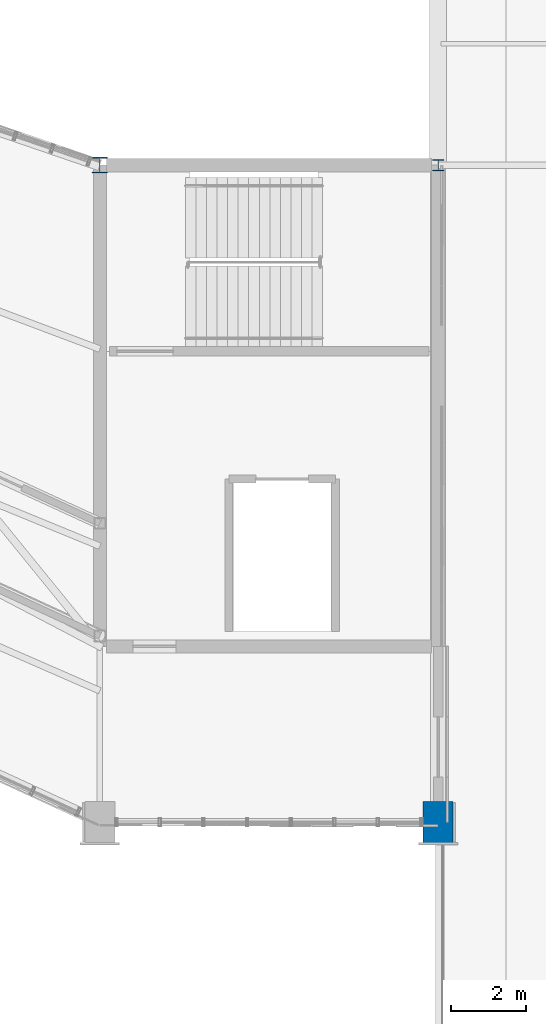
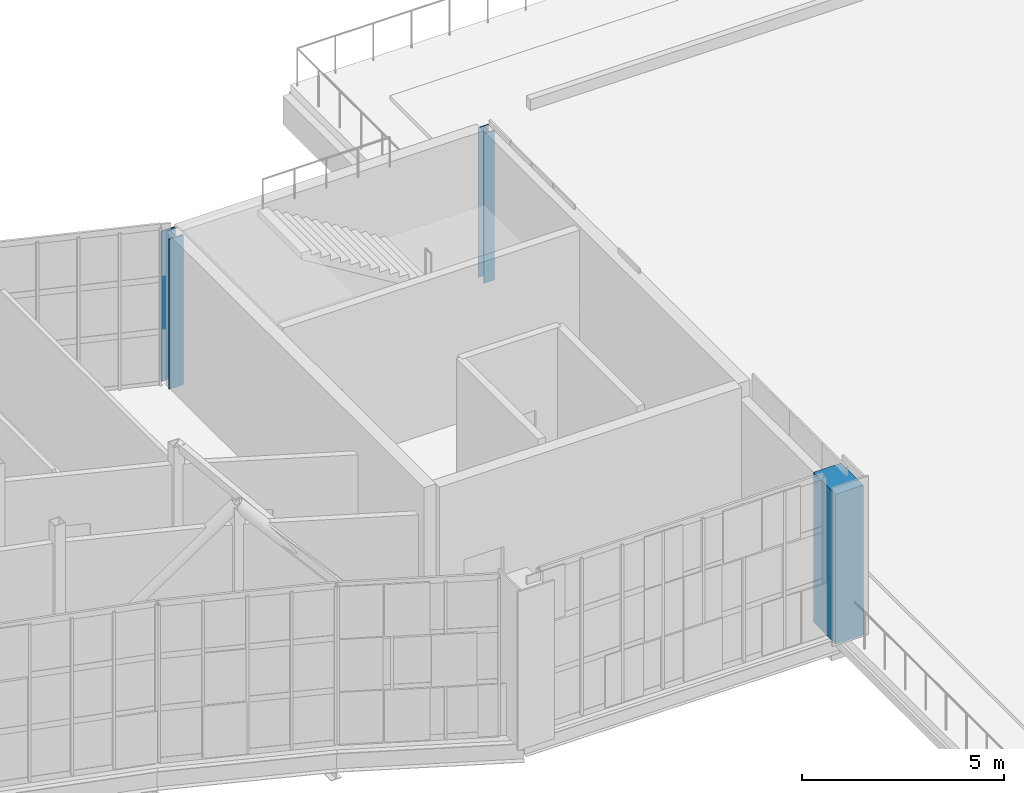
# One storey, part 2 of 66: 3 columns.
"""IFC4 building model written with IfcOpenShell, lengths in metres."""

from ifc_helpers import new_model, si_unit, direction, frame, origin, origin_2d, place, context, subcontext, project, spatial, rectangle, i_section, extrude, material, material_profile, profile_set, type_object, element, save


model = new_model("IFC4")

# Units and contexts
model_context = context("Model", 3, precision=1e-05, world=origin(), true_north=direction((0.0, 1.0)))
body_context = subcontext(model_context, "Body", "Model", "MODEL_VIEW")
ifc_project = project(units=[si_unit("LENGTHUNIT", "METRE"), si_unit("AREAUNIT", "SQUARE_METRE"), si_unit("VOLUMEUNIT", "CUBIC_METRE"), si_unit("PLANEANGLEUNIT", "RADIAN"), si_unit("MASSUNIT", "GRAM", prefix="KILO")], contexts=[model_context])

# Site, building, storey
site_placement = place(None, origin())
site = spatial("IfcSite", under=ifc_project, at=site_placement, CompositionType="ELEMENT")
building_placement = place(site_placement, origin())
building = spatial("IfcBuilding", under=site, at=building_placement, Name="Solvikara Media Centre", CompositionType="ELEMENT")
storey_placement = place(building_placement, frame((0.0, 0.0, 19.800048828125)))
storey = spatial("IfcBuildingStorey", under=building, at=storey_placement, Name="L04", CompositionType="ELEMENT", Elevation=19.800048828125)

# Columns
ifc_material_1 = material(Name="Concrete fc' 45 MPa (C45/55)", Category="concrete")
ifc_material_profile_1 = material_profile(ifc_material_1, rectangle(XDim=0.800048828125, YDim=1.10009765625, at=origin_2d()), Name="RC 800x1100")
ifc_profile_set_1 = profile_set([ifc_material_profile_1], Name="Concrete fc' 45 MPa (C45/55)")
column_type_1 = type_object("IfcColumnType", Name="CL-17", PredefinedType="COLUMN", material=ifc_profile_set_1)
column_1_placement = place(storey_placement, frame((136.5, 19.323974609375, 0.0), z_axis=(0.0, 0.0, 1.0), x_axis=(1.0, 0.0, 0.0)))
element("IfcColumn", 1, at=column_1_placement, inside=storey, type_object=column_type_1, Name="C-L04-1365-0193", PredefinedType="COLUMN", context=body_context, shape_type="SweptSolid", body=[
    extrude(rectangle(XDim=0.800048828125, YDim=1.10009765625, at=origin_2d()), origin(), (0.0, 0.0, 1.0), 4.5400390625),
])
ifc_material_2 = material(Name="Steel S355JR", Category="steel")
ifc_material_profile_2 = material_profile(ifc_material_2, i_section(OverallWidth=0.406982421875, OverallDepth=0.427978515625, WebThickness=0.02001953125, FlangeThickness=0.034912109375, at=origin_2d()), Name="H 428x407x20x35")
ifc_profile_set_2 = profile_set([ifc_material_profile_2], Name="Steel S355JR")
column_type_2 = type_object("IfcColumnType", Name="CL-20", PredefinedType="COLUMN", material=ifc_profile_set_2)
column_2_placement = place(storey_placement, frame((127.5, 36.800048828125, 0.0), z_axis=(0.0, 0.0, 1.0), x_axis=(1.0, 0.0, 0.0)))
element("IfcColumn", 2, at=column_2_placement, inside=storey, type_object=column_type_2, Name="C-L04-1275-0368", PredefinedType="COLUMN", context=body_context, shape_type="SweptSolid", body=[
    extrude(i_section(OverallWidth=0.406982421875, OverallDepth=0.427978515625, WebThickness=0.02001953125, FlangeThickness=0.034912109375, at=origin_2d()), origin(), (0.0, 0.0, 1.0), 4.5400390625),
])
ifc_material_profile_3 = material_profile(ifc_material_2, i_section(OverallWidth=0.300048828125, OverallDepth=0.300048828125, WebThickness=0.010009765625, FlangeThickness=0.014892578125, at=origin_2d()), Name="H 300x300x10x15")
ifc_profile_set_3 = profile_set([ifc_material_profile_3], Name="Steel S355JR")
column_type_3 = type_object("IfcColumnType", Name="CL-22", PredefinedType="COLUMN", material=ifc_profile_set_3)
column_3_placement = place(storey_placement, frame((136.5, 36.800048828125, 0.0), z_axis=(0.0, 0.0, 1.0), x_axis=(1.0, 0.0, 0.0)))
element("IfcColumn", 3, at=column_3_placement, inside=storey, type_object=column_type_3, Name="C-L04-1365-0368", PredefinedType="COLUMN", context=body_context, shape_type="SweptSolid", body=[
    extrude(i_section(OverallWidth=0.300048828125, OverallDepth=0.300048828125, WebThickness=0.010009765625, FlangeThickness=0.014892578125, at=origin_2d()), origin(), (0.0, 0.0, 1.0), 4.5400390625),
])

save(model, "model.ifc")
